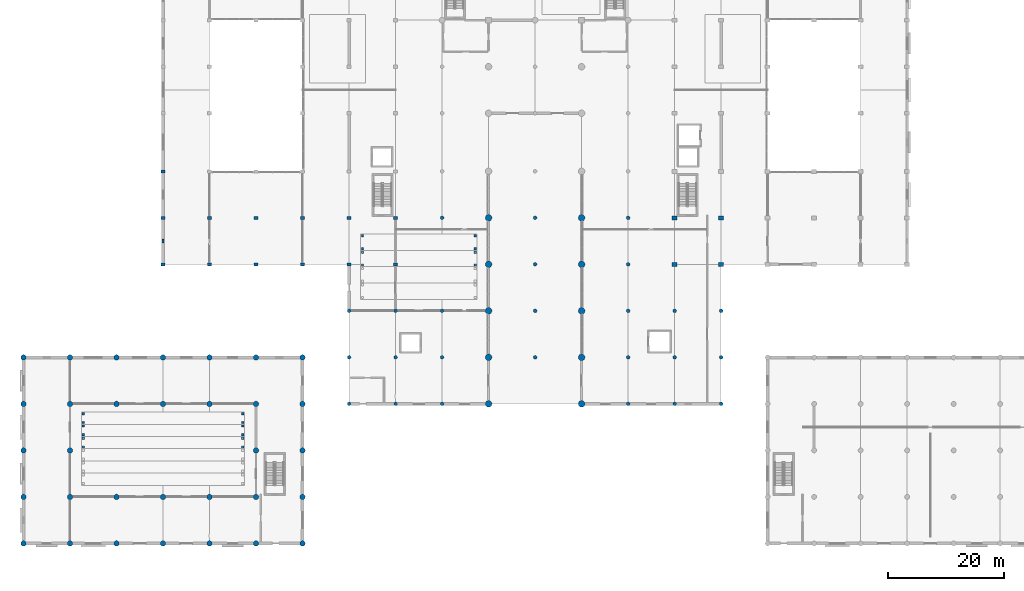
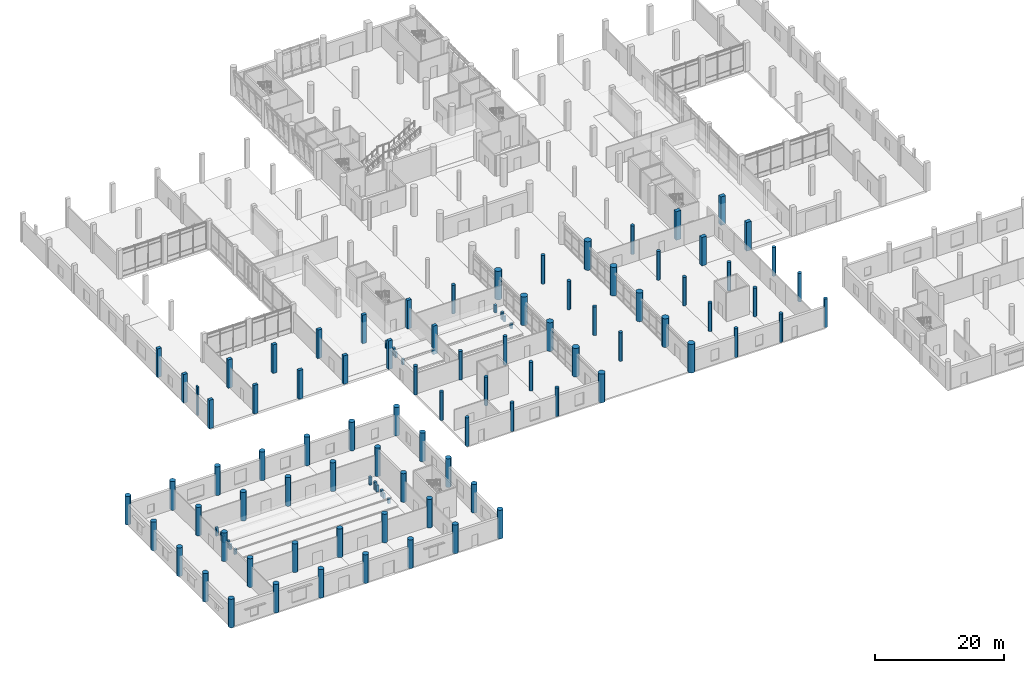
# One storey, part 1 of 42: 105 columns.
"""IFC4 building model written with IfcOpenShell, lengths in metres."""

from ifc_helpers import new_model, si_unit, direction, frame, origin, origin_2d, place, context, subcontext, project, spatial, rectangle, circle, extrude, material, material_profile, profile_set, type_object, element, save


model = new_model("IFC4")

# Units and contexts
model_context = context("Model", 3, precision=1e-05, world=origin(), true_north=direction((0.0, 1.0)))
body_context = subcontext(model_context, "Body", "Model", "MODEL_VIEW")
ifc_project = project(units=[si_unit("LENGTHUNIT", "METRE"), si_unit("AREAUNIT", "SQUARE_METRE"), si_unit("VOLUMEUNIT", "CUBIC_METRE"), si_unit("PLANEANGLEUNIT", "RADIAN"), si_unit("MASSUNIT", "GRAM", prefix="KILO")], contexts=[model_context])

# Site, building, storey
site_placement = place(None, origin())
site = spatial("IfcSite", under=ifc_project, at=site_placement, CompositionType="ELEMENT")
building_placement = place(site_placement, origin())
building = spatial("IfcBuilding", under=site, at=building_placement, Name="Pecanmere Concourse Central Library", CompositionType="ELEMENT")
storey_placement = place(building_placement, origin())
storey = spatial("IfcBuildingStorey", under=building, at=storey_placement, Name="L01", CompositionType="ELEMENT", Elevation=0.0)

# Columns
ifc_material_1 = material(Name="Concrete C40/50", Category="concrete")
ifc_material_profile_1 = material_profile(ifc_material_1, circle(Radius=0.56005859375, at=origin_2d()), Name="RC D1120")
ifc_profile_set_1 = profile_set([ifc_material_profile_1], Name="Concrete C40/50")
column_type_1 = type_object("IfcColumnType", Name="COL_CIRC_1120", PredefinedType="COLUMN", material=ifc_profile_set_1)
for number, where, z_axis, x_axis, name in (
    (1, (80.0, 24.0, 0.0), (0.0, 0.0, 1.0), (1.0, 0.0, 0.0), "Column CC-01 L01-097"),
    (2, (80.0, 32.0, 0.0), (0.0, 0.0, 1.0), (1.0, 0.0, 0.0), "Column CC-01 L01-098"),
    (3, (80.0, 40.0, 0.0), (0.0, 0.0, 1.0), (1.0, 0.0, 0.0), "Column CC-01 L01-099"),
    (4, (80.0, 48.0, 0.0), (0.0, 0.0, 1.0), (1.0, 0.0, 0.0), "Column CC-01 L01-100"),
    (5, (80.0, 56.0, 0.0), (0.0, 0.0, 1.0), (1.0, 0.0, 0.0), "Column CC-01 L01-101"),
    (6, (96.0, 24.0, 0.0), (0.0, 0.0, 1.0), (1.0, 0.0, 0.0), "Column CC-01 L01-121"),
    (7, (96.0, 32.0, 0.0), (0.0, 0.0, 1.0), (1.0, 0.0, 0.0), "Column CC-01 L01-122"),
    (8, (96.0, 40.0, 0.0), (0.0, 0.0, 1.0), (1.0, 0.0, 0.0), "Column CC-01 L01-123"),
    (9, (96.0, 48.0, 0.0), (0.0, 0.0, 1.0), (1.0, 0.0, 0.0), "Column CC-01 L01-124"),
    (10, (96.0, 56.0, 0.0), (0.0, 0.0, 1.0), (1.0, 0.0, 0.0), "Column CC-01 L01-125"),
):
    element("IfcColumn", number, at=place(storey_placement, frame(where, z_axis=z_axis, x_axis=x_axis)), inside=storey, type_object=column_type_1, Name=name, PredefinedType="COLUMN", context=body_context, shape_type="SweptSolid", body=[
        extrude(circle(Radius=0.56005859375, at=origin_2d()), origin(), (0.0, 0.0, 1.0), 5.39990234375),
    ])
ifc_material_2 = material(Name="Concrete C40/50", Category="concrete")
ifc_material_profile_2 = material_profile(ifc_material_2, circle(Radius=0.31005859375, at=origin_2d()), Name="RC D620")
ifc_profile_set_2 = profile_set([ifc_material_profile_2], Name="Concrete C40/50")
column_type_2 = type_object("IfcColumnType", Name="COL_CIRC_620", PredefinedType="COLUMN", material=ifc_profile_set_2)
for number, where, z_axis, x_axis, name in (
    (11, (56.0, 24.0, 0.0), (0.0, 0.0, 1.0), (1.0, 0.0, 0.0), "Column CC-07 L01-063"),
    (12, (56.0, 32.0, 0.0), (0.0, 0.0, 1.0), (1.0, 0.0, 0.0), "Column CC-07 L01-064"),
    (13, (56.0, 40.0, 0.0), (0.0, 0.0, 1.0), (1.0, 0.0, 0.0), "Column CC-07 L01-065"),
    (14, (64.0, 24.0, 0.0), (0.0, 0.0, 1.0), (1.0, 0.0, 0.0), "Column CC-07 L01-074"),
    (15, (64.0, 32.0, 0.0), (0.0, 0.0, 1.0), (1.0, 0.0, 0.0), "Column CC-07 L01-075"),
    (16, (64.0, 40.0, 0.0), (0.0, 0.0, 1.0), (1.0, 0.0, 0.0), "Column CC-07 L01-076"),
    (17, (72.0, 24.0, 0.0), (0.0, 0.0, 1.0), (1.0, 0.0, 0.0), "Column CC-07 L01-085"),
    (18, (72.0, 32.0, 0.0), (0.0, 0.0, 1.0), (1.0, 0.0, 0.0), "Column CC-07 L01-086"),
    (19, (72.0, 40.0, 0.0), (0.0, 0.0, 1.0), (1.0, 0.0, 0.0), "Column CC-07 L01-087"),
    (20, (72.0, 56.0, 0.0), (0.0, 0.0, 1.0), (1.0, 0.0, 0.0), "Column CC-07 L01-088"),
    (21, (88.0, 32.0, 0.0), (0.0, 0.0, 1.0), (1.0, 0.0, 0.0), "Column CC-07 L01-110"),
    (22, (88.0, 40.0, 0.0), (0.0, 0.0, 1.0), (1.0, 0.0, 0.0), "Column CC-07 L01-111"),
    (23, (88.0, 48.0, 0.0), (0.0, 0.0, 1.0), (1.0, 0.0, 0.0), "Column CC-07 L01-112"),
    (24, (88.0, 56.0, 0.0), (0.0, 0.0, 1.0), (1.0, 0.0, 0.0), "Column CC-07 L01-113"),
    (25, (104.0, 24.0, 0.0), (0.0, 0.0, 1.0), (1.0, 0.0, 0.0), "Column CC-07 L01-134"),
    (26, (104.0, 32.0, 0.0), (0.0, 0.0, 1.0), (1.0, 0.0, 0.0), "Column CC-07 L01-135"),
    (27, (104.0, 40.0, 0.0), (0.0, 0.0, 1.0), (1.0, 0.0, 0.0), "Column CC-07 L01-136"),
    (28, (104.0, 48.0, 0.0), (0.0, 0.0, 1.0), (1.0, 0.0, 0.0), "Column CC-07 L01-137"),
    (29, (104.0, 56.0, 0.0), (0.0, 0.0, 1.0), (1.0, 0.0, 0.0), "Column CC-07 L01-138"),
    (30, (112.0, 24.0, 0.0), (0.0, 0.0, 1.0), (1.0, 0.0, 0.0), "Column CC-07 L01-147"),
    (31, (112.0, 32.0, 0.0), (0.0, 0.0, 1.0), (1.0, 0.0, 0.0), "Column CC-07 L01-148"),
    (32, (112.0, 40.0, 0.0), (0.0, 0.0, 1.0), (1.0, 0.0, 0.0), "Column CC-07 L01-149"),
    (33, (120.0, 24.0, 0.0), (0.0, 0.0, 1.0), (1.0, 0.0, 0.0), "Column CC-07 L01-158"),
    (34, (120.0, 32.0, 0.0), (0.0, 0.0, 1.0), (1.0, 0.0, 0.0), "Column CC-07 L01-159"),
    (35, (120.0, 40.0, 0.0), (0.0, 0.0, 1.0), (1.0, 0.0, 0.0), "Column CC-07 L01-160"),
):
    element("IfcColumn", number, at=place(storey_placement, frame(where, z_axis=z_axis, x_axis=x_axis)), inside=storey, type_object=column_type_2, Name=name, PredefinedType="COLUMN", context=body_context, shape_type="SweptSolid", body=[
        extrude(circle(Radius=0.31005859375, at=origin_2d()), origin(), (0.0, 0.0, 1.0), 5.39990234375),
    ])
ifc_material_3 = material(Name="Concrete C40/50", Category="concrete")
ifc_material_profile_3 = material_profile(ifc_material_3, circle(Radius=0.469970703125, at=origin_2d()), Name="RC D940")
ifc_profile_set_3 = profile_set([ifc_material_profile_3], Name="Concrete C40/50")
column_type_3 = type_object("IfcColumnType", Name="COL_CIRC_940", PredefinedType="COLUMN", material=ifc_profile_set_3)
for number, where, z_axis, x_axis, name in (
    (36, (0.0, 0.0, 0.0), (0.0, 0.0, 1.0), (1.0, 0.0, 0.0), "Column CC-03 L01-001"),
    (37, (0.0, 8.0, 0.0), (0.0, 0.0, 1.0), (1.0, 0.0, 0.0), "Column CC-03 L01-002"),
    (38, (0.0, 16.0, 0.0), (0.0, 0.0, 1.0), (1.0, 0.0, 0.0), "Column CC-03 L01-003"),
    (39, (0.0, 24.0, 0.0), (0.0, 0.0, 1.0), (1.0, 0.0, 0.0), "Column CC-03 L01-004"),
    (40, (0.0, 32.0, 0.0), (0.0, 0.0, 1.0), (1.0, 0.0, 0.0), "Column CC-03 L01-005"),
    (41, (8.0, 0.0, 0.0), (0.0, 0.0, 1.0), (1.0, 0.0, 0.0), "Column CC-03 L01-006"),
    (42, (8.0, 8.0, 0.0), (0.0, 0.0, 1.0), (1.0, 0.0, 0.0), "Column CC-03 L01-007"),
    (43, (8.0, 16.0, 0.0), (0.0, 0.0, 1.0), (1.0, 0.0, 0.0), "Column CC-03 L01-008"),
    (44, (8.0, 24.0, 0.0), (0.0, 0.0, 1.0), (1.0, 0.0, 0.0), "Column CC-03 L01-009"),
    (45, (8.0, 32.0, 0.0), (0.0, 0.0, 1.0), (1.0, 0.0, 0.0), "Column CC-03 L01-010"),
    (46, (16.0, 0.0, 0.0), (0.0, 0.0, 1.0), (1.0, 0.0, 0.0), "Column CC-03 L01-011"),
    (47, (16.0, 8.0, 0.0), (0.0, 0.0, 1.0), (1.0, 0.0, 0.0), "Column CC-03 L01-012"),
    (48, (16.0, 24.0, 0.0), (0.0, 0.0, 1.0), (1.0, 0.0, 0.0), "Column CC-03 L01-013"),
    (49, (16.0, 32.0, 0.0), (0.0, 0.0, 1.0), (1.0, 0.0, 0.0), "Column CC-03 L01-014"),
    (50, (24.0, 0.0, 0.0), (0.0, 0.0, 1.0), (1.0, 0.0, 0.0), "Column CC-03 L01-015"),
    (51, (24.0, 8.0, 0.0), (0.0, 0.0, 1.0), (1.0, 0.0, 0.0), "Column CC-03 L01-016"),
    (52, (24.0, 24.0, 0.0), (0.0, 0.0, 1.0), (1.0, 0.0, 0.0), "Column CC-03 L01-017"),
    (53, (24.0, 32.0, 0.0), (0.0, 0.0, 1.0), (1.0, 0.0, 0.0), "Column CC-03 L01-018"),
    (54, (32.0, 0.0, 0.0), (0.0, 0.0, 1.0), (1.0, 0.0, 0.0), "Column CC-03 L01-027"),
    (55, (32.0, 8.0, 0.0), (0.0, 0.0, 1.0), (1.0, 0.0, 0.0), "Column CC-03 L01-028"),
    (56, (32.0, 24.0, 0.0), (0.0, 0.0, 1.0), (1.0, 0.0, 0.0), "Column CC-03 L01-029"),
    (57, (32.0, 32.0, 0.0), (0.0, 0.0, 1.0), (1.0, 0.0, 0.0), "Column CC-03 L01-030"),
    (58, (40.0, 0.0, 0.0), (0.0, 0.0, 1.0), (1.0, 0.0, 0.0), "Column CC-03 L01-039"),
    (59, (40.0, 8.0, 0.0), (0.0, 0.0, 1.0), (1.0, 0.0, 0.0), "Column CC-03 L01-040"),
    (60, (40.0, 16.0, 0.0), (0.0, 0.0, 1.0), (1.0, 0.0, 0.0), "Column CC-03 L01-041"),
    (61, (40.0, 24.0, 0.0), (0.0, 0.0, 1.0), (1.0, 0.0, 0.0), "Column CC-03 L01-042"),
    (62, (40.0, 32.0, 0.0), (0.0, 0.0, 1.0), (1.0, 0.0, 0.0), "Column CC-03 L01-043"),
    (63, (48.0, 0.0, 0.0), (0.0, 0.0, 1.0), (1.0, 0.0, 0.0), "Column CC-03 L01-050"),
    (64, (48.0, 8.0, 0.0), (0.0, 0.0, 1.0), (1.0, 0.0, 0.0), "Column CC-03 L01-051"),
    (65, (48.0, 16.0, 0.0), (0.0, 0.0, 1.0), (1.0, 0.0, 0.0), "Column CC-03 L01-052"),
    (66, (48.0, 24.0, 0.0), (0.0, 0.0, 1.0), (1.0, 0.0, 0.0), "Column CC-03 L01-053"),
    (67, (48.0, 32.0, 0.0), (0.0, 0.0, 1.0), (1.0, 0.0, 0.0), "Column CC-03 L01-054"),
):
    element("IfcColumn", number, at=place(storey_placement, frame(where, z_axis=z_axis, x_axis=x_axis)), inside=storey, type_object=column_type_3, Name=name, PredefinedType="COLUMN", context=body_context, shape_type="SweptSolid", body=[
        extrude(circle(Radius=0.469970703125, at=origin_2d()), origin(), (0.0, 0.0, 1.0), 5.39990234375),
    ])
ifc_material_4 = material(Name="Concrete C40/50", Category="concrete")
ifc_material_profile_4 = material_profile(ifc_material_4, rectangle(XDim=0.39990234375, YDim=0.39990234375, at=origin_2d()), Name="RC 400x400")
ifc_profile_set_4 = profile_set([ifc_material_profile_4], Name="Concrete C40/50")
column_type_4 = type_object("IfcColumnType", Name="COL_RC_400x400", PredefinedType="COLUMN", material=ifc_profile_set_4)
for number, where, z_axis, x_axis, name in (
    (68, (10.300048828125, 16.60009765625, 0.0), (0.0, 0.0, 1.0), (1.0, 0.0, 0.0), "Auditorium Tier Support Pier 4-1"),
    (69, (37.699951171875, 16.60009765625, 0.0), (0.0, 0.0, 1.0), (1.0, 0.0, 0.0), "Auditorium Tier Support Pier 4-2"),
    (70, (37.699951171875, 18.10009765625, 0.0), (0.0, 0.0, 1.0), (1.0, 0.0, 0.0), "Auditorium Tier Support Pier 4-3"),
    (71, (10.300048828125, 18.10009765625, 0.0), (0.0, 0.0, 1.0), (1.0, 0.0, 0.0), "Auditorium Tier Support Pier 4-4"),
):
    element("IfcColumn", number, at=place(storey_placement, frame(where, z_axis=z_axis, x_axis=x_axis)), inside=storey, type_object=column_type_4, Name=name, PredefinedType="COLUMN", context=body_context, shape_type="SweptSolid", body=[
        extrude(rectangle(XDim=0.39990234375, YDim=0.39990234375, at=origin_2d()), origin(), (0.0, 0.0, 1.0), 0.989990234375),
    ])
for number, where, z_axis, x_axis, name in (
    (72, (10.300048828125, 18.699951171875, 0.0), (0.0, 0.0, 1.0), (1.0, 0.0, 0.0), "Auditorium Tier Support Pier 5-1"),
    (73, (37.699951171875, 18.699951171875, 0.0), (0.0, 0.0, 1.0), (1.0, 0.0, 0.0), "Auditorium Tier Support Pier 5-2"),
    (74, (37.699951171875, 20.199951171875, 0.0), (0.0, 0.0, 1.0), (1.0, 0.0, 0.0), "Auditorium Tier Support Pier 5-3"),
    (75, (10.300048828125, 20.199951171875, 0.0), (0.0, 0.0, 1.0), (1.0, 0.0, 0.0), "Auditorium Tier Support Pier 5-4"),
):
    element("IfcColumn", number, at=place(storey_placement, frame(where, z_axis=z_axis, x_axis=x_axis)), inside=storey, type_object=column_type_4, Name=name, PredefinedType="COLUMN", context=body_context, shape_type="SweptSolid", body=[
        extrude(rectangle(XDim=0.39990234375, YDim=0.39990234375, at=origin_2d()), origin(), (0.0, 0.0, 1.0), 1.280029296875),
    ])
for number, where, z_axis, x_axis, name in (
    (76, (10.300048828125, 20.800048828125, 0.0), (0.0, 0.0, 1.0), (1.0, 0.0, 0.0), "Auditorium Tier Support Pier 6-1"),
    (77, (37.699951171875, 20.800048828125, 0.0), (0.0, 0.0, 1.0), (1.0, 0.0, 0.0), "Auditorium Tier Support Pier 6-2"),
    (78, (37.699951171875, 22.300048828125, 0.0), (0.0, 0.0, 1.0), (1.0, 0.0, 0.0), "Auditorium Tier Support Pier 6-3"),
    (79, (10.300048828125, 22.300048828125, 0.0), (0.0, 0.0, 1.0), (1.0, 0.0, 0.0), "Auditorium Tier Support Pier 6-4"),
):
    element("IfcColumn", number, at=place(storey_placement, frame(where, z_axis=z_axis, x_axis=x_axis)), inside=storey, type_object=column_type_4, Name=name, PredefinedType="COLUMN", context=body_context, shape_type="SweptSolid", body=[
        extrude(rectangle(XDim=0.39990234375, YDim=0.39990234375, at=origin_2d()), origin(), (0.0, 0.0, 1.0), 1.570068359375),
    ])
for number, where, z_axis, x_axis, name in (
    (80, (58.300048828125, 47.89990234375, 0.0), (0.0, 0.0, 1.0), (1.0, 0.0, 0.0), "Lecture Tier Support Pier 3-1"),
    (81, (77.699951171875, 47.89990234375, 0.0), (0.0, 0.0, 1.0), (1.0, 0.0, 0.0), "Lecture Tier Support Pier 3-2"),
    (82, (77.699951171875, 50.10009765625, 0.0), (0.0, 0.0, 1.0), (1.0, 0.0, 0.0), "Lecture Tier Support Pier 3-3"),
    (83, (58.300048828125, 50.10009765625, 0.0), (0.0, 0.0, 1.0), (1.0, 0.0, 0.0), "Lecture Tier Support Pier 3-4"),
):
    element("IfcColumn", number, at=place(storey_placement, frame(where, z_axis=z_axis, x_axis=x_axis)), inside=storey, type_object=column_type_4, Name=name, PredefinedType="COLUMN", context=body_context, shape_type="SweptSolid", body=[
        extrude(rectangle(XDim=0.39990234375, YDim=0.39990234375, at=origin_2d()), origin(), (0.0, 0.0, 1.0), 1.044921875),
    ])
for number, where, z_axis, x_axis, name in (
    (84, (58.300048828125, 50.699951171875, 0.0), (0.0, 0.0, 1.0), (1.0, 0.0, 0.0), "Lecture Tier Support Pier 4-1"),
    (85, (77.699951171875, 50.699951171875, 0.0), (0.0, 0.0, 1.0), (1.0, 0.0, 0.0), "Lecture Tier Support Pier 4-2"),
    (86, (77.699951171875, 52.89990234375, 0.0), (0.0, 0.0, 1.0), (1.0, 0.0, 0.0), "Lecture Tier Support Pier 4-3"),
    (87, (58.300048828125, 52.89990234375, 0.0), (0.0, 0.0, 1.0), (1.0, 0.0, 0.0), "Lecture Tier Support Pier 4-4"),
):
    element("IfcColumn", number, at=place(storey_placement, frame(where, z_axis=z_axis, x_axis=x_axis)), inside=storey, type_object=column_type_4, Name=name, PredefinedType="COLUMN", context=body_context, shape_type="SweptSolid", body=[
        extrude(rectangle(XDim=0.39990234375, YDim=0.39990234375, at=origin_2d()), origin(), (0.0, 0.0, 1.0), 1.445068359375),
    ])
ifc_material_5 = material(Name="Concrete C40/50", Category="concrete")
ifc_material_profile_5 = material_profile(ifc_material_5, rectangle(XDim=0.739990234375, YDim=0.5400390625, at=origin_2d()), Name="RC 740x540")
ifc_profile_set_5 = profile_set([ifc_material_profile_5], Name="Concrete C40/50")
column_type_5 = type_object("IfcColumnType", Name="COL_RC_740x540", PredefinedType="COLUMN", material=ifc_profile_set_5)
for number, where, z_axis, x_axis, name in (
    (88, (24.0, 48.0, 0.0), (0.0, 0.0, 1.0), (1.0, 0.0, 0.0), "Column C-16 L01-019"),
    (89, (24.0, 56.0, 0.0), (0.0, 0.0, 1.0), (1.0, 0.0, 0.0), "Column C-16 L01-020"),
    (90, (24.0, 64.0, 0.0), (0.0, 0.0, 1.0), (1.0, 0.0, 0.0), "Column C-16 L01-021"),
    (91, (32.0, 48.0, 0.0), (0.0, 0.0, 1.0), (1.0, 0.0, 0.0), "Column C-16 L01-031"),
    (92, (32.0, 56.0, 0.0), (0.0, 0.0, 1.0), (1.0, 0.0, 0.0), "Column C-16 L01-032"),
    (93, (40.0, 48.0, 0.0), (0.0, 0.0, 1.0), (1.0, 0.0, 0.0), "Column C-16 L01-044"),
    (94, (40.0, 56.0, 0.0), (0.0, 0.0, 1.0), (1.0, 0.0, 0.0), "Column C-16 L01-045"),
    (95, (48.0, 48.0, 0.0), (0.0, 0.0, 1.0), (1.0, 0.0, 0.0), "Column C-16 L01-055"),
    (96, (48.0, 56.0, 0.0), (0.0, 0.0, 1.0), (1.0, 0.0, 0.0), "Column C-16 L01-056"),
    (97, (56.0, 48.0, 0.0), (0.0, 0.0, 1.0), (1.0, 0.0, 0.0), "Column C-16 L01-066"),
    (98, (56.0, 56.0, 0.0), (0.0, 0.0, 1.0), (1.0, 0.0, 0.0), "Column C-16 L01-067"),
    (99, (64.0, 48.0, 0.0), (0.0, 0.0, 1.0), (1.0, 0.0, 0.0), "Column C-16 L01-077"),
    (100, (64.0, 56.0, 0.0), (0.0, 0.0, 1.0), (1.0, 0.0, 0.0), "Column C-16 L01-078"),
):
    element("IfcColumn", number, at=place(storey_placement, frame(where, z_axis=z_axis, x_axis=x_axis)), inside=storey, type_object=column_type_5, Name=name, PredefinedType="COLUMN", context=body_context, shape_type="SweptSolid", body=[
        extrude(rectangle(XDim=0.739990234375, YDim=0.5400390625, at=origin_2d()), origin(), (0.0, 0.0, 1.0), 5.39990234375),
    ])
ifc_material_6 = material(Name="Concrete C40/50", Category="concrete")
ifc_material_profile_6 = material_profile(ifc_material_6, rectangle(XDim=0.860107421875, YDim=0.659912109375, at=origin_2d()), Name="RC 860x660")
ifc_profile_set_6 = profile_set([ifc_material_profile_6], Name="Concrete C40/50")
column_type_6 = type_object("IfcColumnType", Name="COL_RC_860x660", PredefinedType="COLUMN", material=ifc_profile_set_6)
for number, where, z_axis, x_axis, name in (
    (101, (112.0, 48.0, 0.0), (0.0, 0.0, 1.0), (1.0, 0.0, 0.0), "Column C-14 L01-150"),
    (102, (112.0, 56.0, 0.0), (0.0, 0.0, 1.0), (1.0, 0.0, 0.0), "Column C-14 L01-151"),
    (103, (120.0, 48.0, 0.0), (0.0, 0.0, 1.0), (1.0, 0.0, 0.0), "Column C-14 L01-161"),
    (104, (120.0, 56.0, 0.0), (0.0, 0.0, 1.0), (1.0, 0.0, 0.0), "Column C-14 L01-162"),
):
    element("IfcColumn", number, at=place(storey_placement, frame(where, z_axis=z_axis, x_axis=x_axis)), inside=storey, type_object=column_type_6, Name=name, PredefinedType="COLUMN", context=body_context, shape_type="SweptSolid", body=[
        extrude(rectangle(XDim=0.860107421875, YDim=0.659912109375, at=origin_2d()), origin(), (0.0, 0.0, 1.0), 5.39990234375),
    ])
ifc_material_7 = material(Name="Precast concrete C40/50", Category="concrete")
ifc_material_profile_7 = material_profile(ifc_material_7, rectangle(XDim=0.56005859375, YDim=0.280029296875, at=origin_2d()), Name="RC 560x280")
ifc_profile_set_7 = profile_set([ifc_material_profile_7], Name="Precast concrete C40/50")
column_type_7 = type_object("IfcColumnType", Name="PIL_560x280", PredefinedType="PILASTER", material=ifc_profile_set_7)
column_placement = place(storey_placement, frame((24.0, 52.0, 0.0), z_axis=(0.0, 0.0, 1.0), x_axis=(0.0, 1.0, 0.0)))
element("IfcColumn", 105, at=column_placement, inside=storey, type_object=column_type_7, Name="Classical Limestone Pilaster L01-01", PredefinedType="PILASTER", context=body_context, shape_type="SweptSolid", body=[
    extrude(rectangle(XDim=0.56005859375, YDim=0.280029296875, at=origin_2d()), origin(), (0.0, 0.0, 1.0), 5.39990234375),
])

save(model, "model.ifc")
